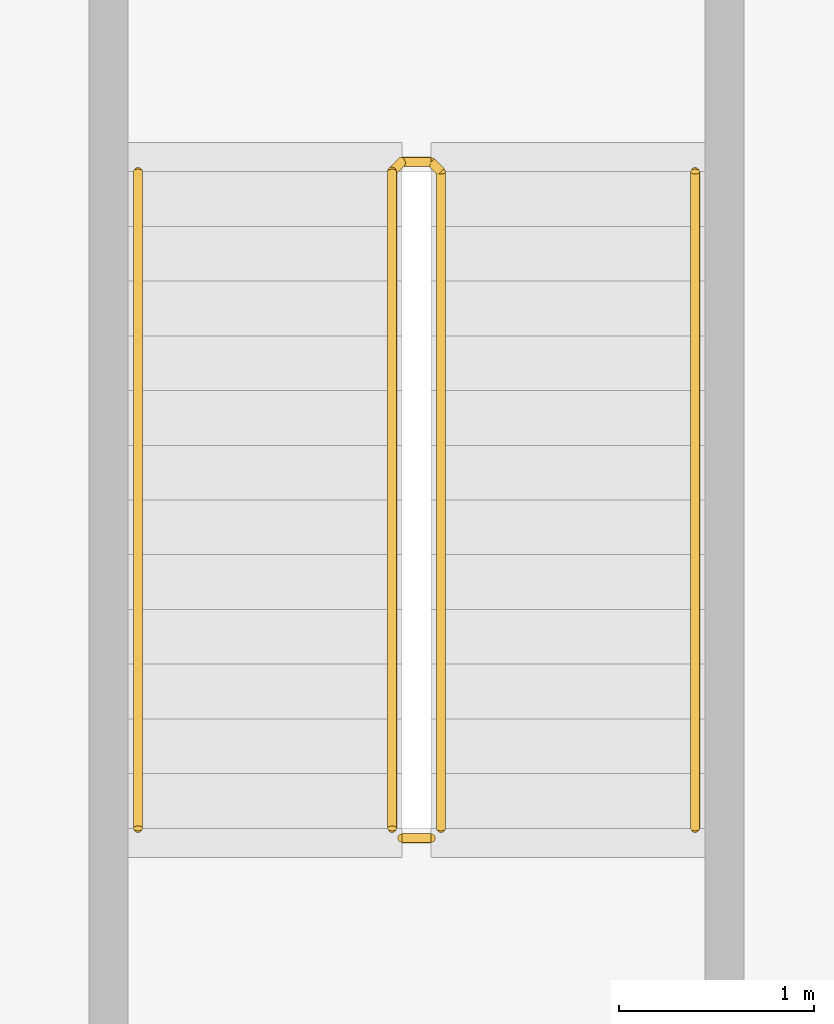
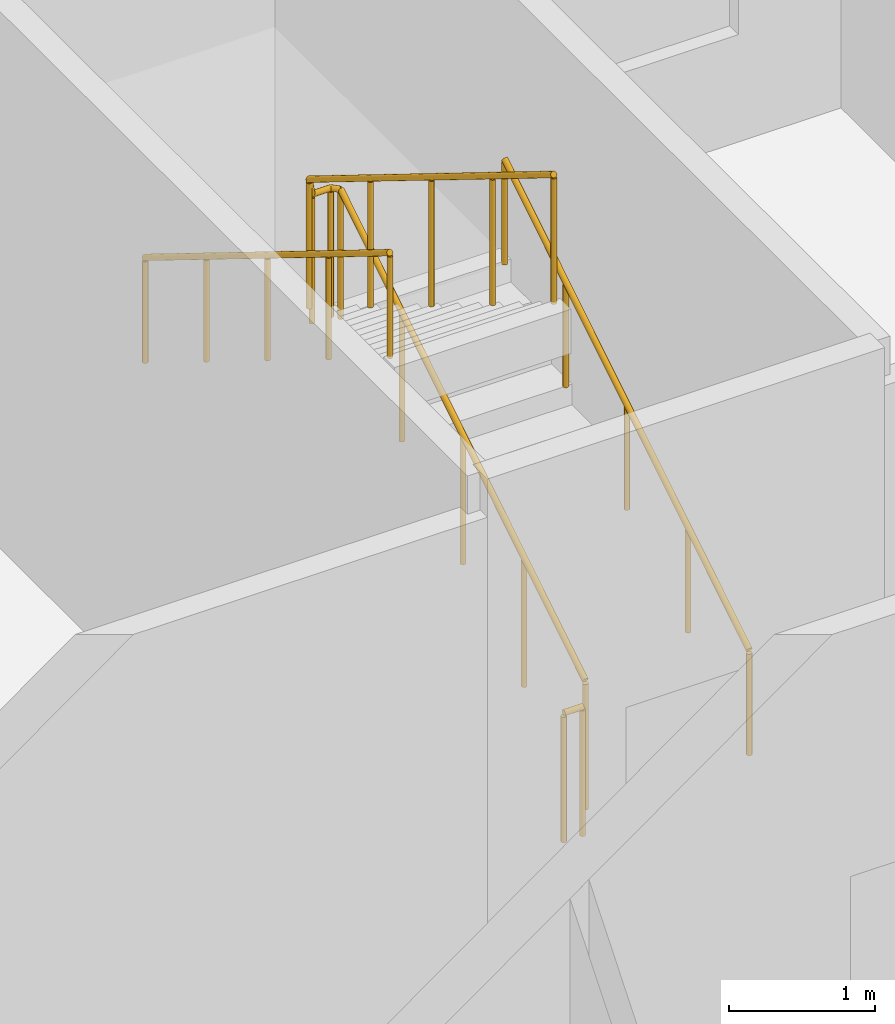
# One storey, part 47 of 47: 4 railings.
"""IFC4 building model written with IfcOpenShell, lengths in metres."""

from ifc_helpers import new_model, si_unit, direction, frame, origin, origin_2d, place, context, subcontext, project, spatial, circle, extrude, material, type_object, element, save


model = new_model("IFC4")

# Units and contexts
model_context = context("Model", 3, precision=1e-05, world=origin(), true_north=direction((0.0, 1.0)))
body_context = subcontext(model_context, "Body", "Model", "MODEL_VIEW")
ifc_project = project(units=[si_unit("LENGTHUNIT", "METRE"), si_unit("AREAUNIT", "SQUARE_METRE"), si_unit("VOLUMEUNIT", "CUBIC_METRE"), si_unit("PLANEANGLEUNIT", "RADIAN"), si_unit("MASSUNIT", "GRAM", prefix="KILO")], contexts=[model_context])

# Site, building, storey
site_placement = place(None, origin())
site = spatial("IfcSite", under=ifc_project, at=site_placement, CompositionType="ELEMENT")
building_placement = place(site_placement, origin())
building = spatial("IfcBuilding", under=site, at=building_placement, Name="Kheshtan School and Residences Tower", CompositionType="ELEMENT")
storey_placement = place(building_placement, frame((0.0, 0.0, 12.5)))
storey = spatial("IfcBuildingStorey", under=building, at=storey_placement, Name="L02", CompositionType="ELEMENT", Elevation=12.5)

# Railings
ifc_material_1 = material(Name="Stainless steel balustrade", Category="steel")
railing_type_1 = type_object("IfcRailingType", Name="Stair guard 1100", PredefinedType="GUARDRAIL", material=ifc_material_1)
railing_1_placement = place(storey_placement, frame((117.699951171875, 103.10009765625, 0.173095703125)))
element("IfcRailing", 1, at=railing_1_placement, inside=storey, type_object=railing_type_1, Name="L02 PS-116-102 stair guard 1", PredefinedType="GUARDRAIL", context=body_context, shape_type="SweptSolid", body=[
    extrude(circle(Radius=0.02392578125, at=origin_2d()), frame((0.0, 0.0, 1.076171875), z_axis=(0.0, 0.850606129759, 0.525803396734), x_axis=(-1.0, 0.0, 0.0)), (0.0, 0.0, 1.0), 3.949951171875),
    extrude(circle(Radius=0.02392578125, at=origin_2d()), frame((0.0, 3.35986328125, 3.15283203125), z_axis=(-0.707106781187, 0.707106781187, 0.0), x_axis=(-0.707106781187, -0.707106781187, 0.0)), (0.0, 0.0, 1.0), 0.07080078125),
    extrude(circle(Radius=0.02392578125, at=origin_2d()), frame((-0.050048828125, 3.409912109375, 3.15283203125), z_axis=(-1.0, 0.0, 0.0), x_axis=(0.0, -1.0, 0.0)), (0.0, 0.0, 1.0), 0.14990234375),
    extrude(circle(Radius=0.02392578125, at=origin_2d()), frame((-0.199951171875, 3.409912109375, 3.15283203125), z_axis=(-0.267629722418, -0.267629722418, 0.925607186314), x_axis=(0.707106781187, -0.707106781187, 0.0)), (0.0, 0.0, 1.0), 0.18701171875),
    extrude(circle(Radius=0.02392578125, at=origin_2d()), frame((-0.25, 3.35986328125, 3.326171875), z_axis=(0.0, -0.850606129759, 0.525803396734), x_axis=(1.0, 0.0, 0.0)), (0.0, 0.0, 1.0), 3.949951171875),
    extrude(circle(Radius=0.02099609375, at=origin_2d()), origin(), (0.0, 0.0, 1.0), 1.052001953125),
    extrude(circle(Radius=0.02099609375, at=origin_2d()), frame((0.0, 0.83984375, 0.519287109375)), (0.0, 0.0, 1.0), 1.052001953125),
    extrude(circle(Radius=0.02099609375, at=origin_2d()), frame((0.0, 1.679931640625, 1.03857421875)), (0.0, 0.0, 1.0), 1.052001953125),
    extrude(circle(Radius=0.02099609375, at=origin_2d()), frame((0.0, 2.52001953125, 1.5576171875)), (0.0, 0.0, 1.0), 1.052001953125),
    extrude(circle(Radius=0.02099609375, at=origin_2d()), frame((0.0, 3.35986328125, 2.076904296875)), (0.0, 0.0, 1.0), 1.052001953125),
    extrude(circle(Radius=0.02099609375, at=origin_2d()), frame((-0.050048828125, 3.409912109375, 2.076904296875)), (0.0, 0.0, 1.0), 1.052001953125),
    extrude(circle(Radius=0.02099609375, at=origin_2d()), frame((-0.199951171875, 3.409912109375, 2.076904296875)), (0.0, 0.0, 1.0), 1.052001953125),
    extrude(circle(Radius=0.02099609375, at=origin_2d()), frame((-0.25, 3.35986328125, 2.25)), (0.0, 0.0, 1.0), 1.052001953125),
    extrude(circle(Radius=0.02099609375, at=origin_2d()), frame((-0.25, 2.52001953125, 2.769287109375)), (0.0, 0.0, 1.0), 1.052001953125),
    extrude(circle(Radius=0.02099609375, at=origin_2d()), frame((-0.25, 1.679931640625, 3.28857421875)), (0.0, 0.0, 1.0), 1.052001953125),
    extrude(circle(Radius=0.02099609375, at=origin_2d()), frame((-0.25, 0.83984375, 3.8076171875)), (0.0, 0.0, 1.0), 1.052001953125),
    extrude(circle(Radius=0.02099609375, at=origin_2d()), frame((-0.25, 0.0, 4.326904296875)), (0.0, 0.0, 1.0), 1.052001953125),
])
railing_2_placement = place(storey_placement, frame((117.64990234375, 103.050048828125, 0.0)))
element("IfcRailing", 2, at=railing_2_placement, inside=storey, type_object=railing_type_1, Name="L02 PS-116-102 stair guard 2", PredefinedType="GUARDRAIL", context=body_context, shape_type="SweptSolid", body=[
    extrude(circle(Radius=0.02392578125, at=origin_2d()), frame((0.0, 0.0, 1.076171875), z_axis=(-1.0, 0.0, 0.0), x_axis=(0.0, -1.0, 0.0)), (0.0, 0.0, 1.0), 0.14990234375),
    extrude(circle(Radius=0.02099609375, at=origin_2d()), origin(), (0.0, 0.0, 1.0), 1.052001953125),
    extrude(circle(Radius=0.02099609375, at=origin_2d()), frame((-0.14990234375, 0.0, 0.0)), (0.0, 0.0, 1.0), 1.052001953125),
])
ifc_material_2 = material(Name="Stainless steel handrail", Category="steel")
railing_type_2 = type_object("IfcRailingType", Name="Stair handrail 900", PredefinedType="HANDRAIL", material=ifc_material_2)
railing_3_placement = place(storey_placement, frame((119.0, 103.10009765625, 0.173095703125)))
element("IfcRailing", 3, at=railing_3_placement, inside=storey, type_object=railing_type_2, Name="L02 PS-116-102 stair handrail 1", PredefinedType="HANDRAIL", context=body_context, shape_type="SweptSolid", body=[
    extrude(circle(Radius=0.02392578125, at=origin_2d()), frame((0.0, 0.0, 0.8759765625), z_axis=(0.0, 0.850606129759, 0.525803396734), x_axis=(-1.0, 0.0, 0.0)), (0.0, 0.0, 1.0), 3.949951171875),
    extrude(circle(Radius=0.02099609375, at=origin_2d()), origin(), (0.0, 0.0, 1.0), 0.851806640625),
    extrude(circle(Radius=0.02099609375, at=origin_2d()), frame((0.0, 0.83984375, 0.519287109375)), (0.0, 0.0, 1.0), 0.851806640625),
    extrude(circle(Radius=0.02099609375, at=origin_2d()), frame((0.0, 1.679931640625, 1.03857421875)), (0.0, 0.0, 1.0), 0.851806640625),
    extrude(circle(Radius=0.02099609375, at=origin_2d()), frame((0.0, 2.52001953125, 1.5576171875)), (0.0, 0.0, 1.0), 0.851806640625),
    extrude(circle(Radius=0.02099609375, at=origin_2d()), frame((0.0, 3.35986328125, 2.076904296875)), (0.0, 0.0, 1.0), 0.851806640625),
])
railing_4_placement = place(storey_placement, frame((116.14990234375, 106.4599609375, 2.423095703125)))
element("IfcRailing", 4, at=railing_4_placement, inside=storey, type_object=railing_type_2, Name="L02 PS-116-102 stair handrail 2", PredefinedType="HANDRAIL", context=body_context, shape_type="SweptSolid", body=[
    extrude(circle(Radius=0.02392578125, at=origin_2d()), frame((0.0, 0.0, 0.8759765625), z_axis=(0.0, -0.850606129759, 0.525803396734), x_axis=(1.0, 0.0, 0.0)), (0.0, 0.0, 1.0), 3.949951171875),
    extrude(circle(Radius=0.02099609375, at=origin_2d()), origin(), (0.0, 0.0, 1.0), 0.851806640625),
    extrude(circle(Radius=0.02099609375, at=origin_2d()), frame((0.0, -0.83984375, 0.519287109375)), (0.0, 0.0, 1.0), 0.851806640625),
    extrude(circle(Radius=0.02099609375, at=origin_2d()), frame((0.0, -1.679931640625, 1.03857421875)), (0.0, 0.0, 1.0), 0.851806640625),
    extrude(circle(Radius=0.02099609375, at=origin_2d()), frame((0.0, -2.52001953125, 1.5576171875)), (0.0, 0.0, 1.0), 0.851806640625),
    extrude(circle(Radius=0.02099609375, at=origin_2d()), frame((0.0, -3.35986328125, 2.076904296875)), (0.0, 0.0, 1.0), 0.851806640625),
])

save(model, "model.ifc")
